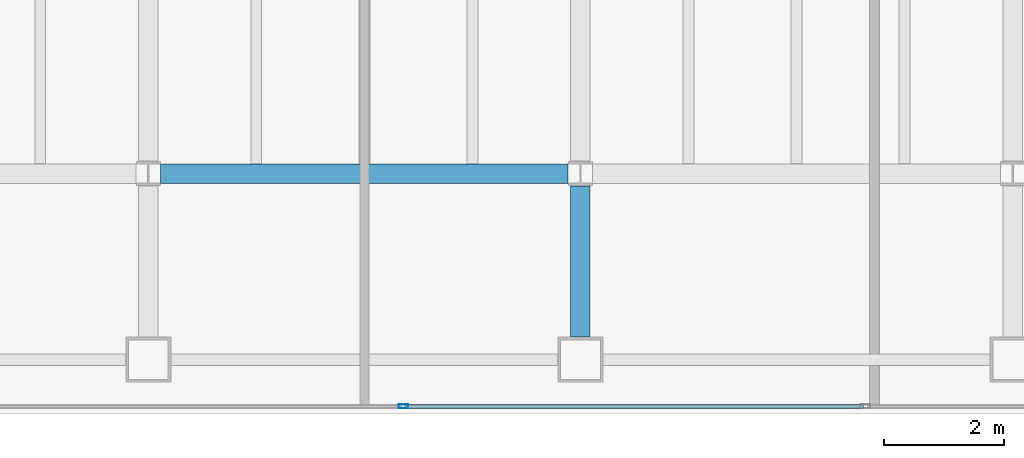
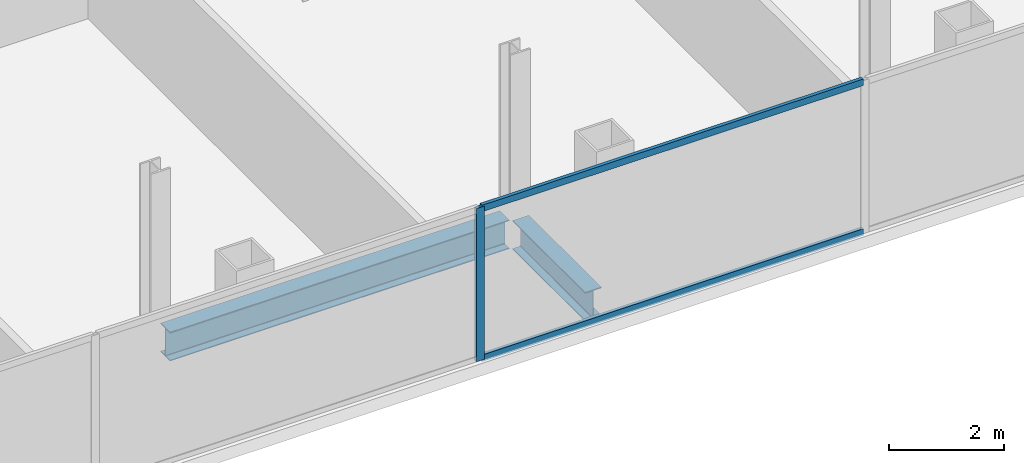
# One storey, part 6 of 23: 3 members, 2 beams, 1 element without a shape of its own.
"""IFC4 building model written with IfcOpenShell, lengths in metres."""

import ifcopenshell
import ifcopenshell.guid

model = None  # the IFC model being written
_history = None  # IfcOwnerHistory: only IFC2X3 demands one
_inside = {}  # id of a spatial element -> (the spatial element, [elements in it])
_under = {}  # id of a project, library or spatial element -> (it, [spatial elements below it])
_declared = {}  # id of a project -> (the project, [libraries it declares])
_typed = {}  # id of a type object -> (the type object, [elements of that type])
_made_of = {}  # id of a material, layer set ... -> (it, [elements and type objects made of it])


def new_model(schema):
    """Start an empty IFC model of exactly this schema.

    Asked for "IFC4X3", IfcOpenShell would pick the latest addendum, in which some entities
    have other attributes; the version numbers below select the first issue.
    IFC2X3 requires an IfcOwnerHistory on every rooted entity: one is made here for all.
    """
    global model, _history
    if schema == "IFC4X3":
        model = ifcopenshell.file(schema_version=(4, 3, 0, 0))
    else:
        model = ifcopenshell.file(schema=schema)
    _inside.clear()
    _under.clear()
    _declared.clear()
    _typed.clear()
    _made_of.clear()
    _history = None
    if model.schema == "IFC2X3":
        org = make("IfcOrganization", Name="unknown")
        user = make(
            "IfcPersonAndOrganization",
            ThePerson=make("IfcPerson", FamilyName="unknown"),
            TheOrganization=org,
        )
        app = make(
            "IfcApplication",
            ApplicationDeveloper=org,
            Version="unknown",
            ApplicationFullName="unknown",
            ApplicationIdentifier="unknown",
        )
        _history = make(
            "IfcOwnerHistory",
            OwningUser=user,
            OwningApplication=app,
            ChangeAction="ADDED",
            CreationDate=0,
        )
    return model


def make(cls, **values):
    """One entity of the class cls with the attributes given. An attribute that is None is left unset."""
    return model.create_entity(
        cls, **{name: value for name, value in values.items() if value is not None}
    )


def rooted(cls, **values):
    """An entity with a GlobalId (a new one), such as an element, a storey or a relation."""
    return make(cls, GlobalId=ifcopenshell.guid.new(), OwnerHistory=_history, **values)


def si_unit(unit_type, name, prefix=None):
    """IfcSIUnit, for example si_unit("LENGTHUNIT", "METRE", prefix="MILLI")."""
    return make("IfcSIUnit", UnitType=unit_type, Prefix=prefix, Name=name)


def assignment(units):
    """IfcUnitAssignment: the units of a project."""
    return None if units is None else make("IfcUnitAssignment", Units=units)


def point(xyz):
    """IfcCartesianPoint."""
    return None if xyz is None else make("IfcCartesianPoint", Coordinates=xyz)


def direction(xyz):
    """IfcDirection."""
    return None if xyz is None else make("IfcDirection", DirectionRatios=xyz)


def frame(location, z_axis=None, x_axis=None):
    """IfcAxis2Placement3D, a coordinate frame: its origin and axes. An axis left out is left unset."""
    return make(
        "IfcAxis2Placement3D",
        Location=point(location),
        Axis=direction(z_axis),
        RefDirection=direction(x_axis),
    )


def frame_2d(location, x_axis=None):
    """IfcAxis2Placement2D, a coordinate frame in the plane: its origin and x axis."""
    return make(
        "IfcAxis2Placement2D", Location=point(location), RefDirection=direction(x_axis)
    )


def origin():
    """The frame at (0, 0, 0) with its axes left unset."""
    return frame((0.0, 0.0, 0.0))


def origin_2d():
    """The frame at (0, 0) in the plane with its x axis left unset."""
    return frame_2d((0.0, 0.0))


def place(relative_to, where):
    """IfcLocalPlacement: puts the frame where relative to a parent placement (None: the world)."""
    return make(
        "IfcLocalPlacement", PlacementRelTo=relative_to, RelativePlacement=where
    )


def context(
    kind, dimensions, precision=None, world=None, true_north=None, identifier=None
):
    """IfcGeometricRepresentationContext, for example the 3D "Model" context."""
    return make(
        "IfcGeometricRepresentationContext",
        ContextIdentifier=identifier,
        ContextType=kind,
        CoordinateSpaceDimension=dimensions,
        Precision=precision,
        WorldCoordinateSystem=world,
        TrueNorth=true_north,
    )


def subcontext(parent, identifier, kind, view, scale=None):
    """IfcGeometricRepresentationSubContext, for example "Body" below "Model"."""
    return make(
        "IfcGeometricRepresentationSubContext",
        ContextIdentifier=identifier,
        ContextType=kind,
        ParentContext=parent,
        TargetScale=scale,
        TargetView=view,
    )


def project(units=None, contexts=None):
    """IfcProject with its units and contexts."""
    return rooted(
        "IfcProject",
        Name="project",
        RepresentationContexts=contexts,
        UnitsInContext=assignment(units),
    )


def spatial(cls, under=None, at=None, **own):
    """A site, building, storey or space (cls), placed at a placement, below another one or the project."""
    s = rooted(cls, ObjectPlacement=at, **own)
    if under is not None:
        _under.setdefault(under.id(), (under, []))[1].append(s)
    return s


def profile(cls, at=None, kind="AREA", **sizes):
    """A parametric profile (cls). Its sizes go by their IFC names, for example OverallWidth=200.0."""
    return make(cls, ProfileType=kind, Position=at, **sizes)


def hollow_rectangle(**sizes):
    """IfcRectangleHollowProfileDef."""
    return profile("IfcRectangleHollowProfileDef", **sizes)


def i_section(**sizes):
    """IfcIShapeProfileDef."""
    return profile("IfcIShapeProfileDef", **sizes)


def extrude(swept, where, along, depth):
    """IfcExtrudedAreaSolid: the profile swept, set in the frame where, extruded along a direction by depth."""
    return make(
        "IfcExtrudedAreaSolid",
        SweptArea=swept,
        Position=where,
        ExtrudedDirection=direction(along),
        Depth=depth,
    )


def shape(context_of_items, identifier, shape_type, items):
    """IfcShapeRepresentation: the items that make up one representation, for example the "Body"."""
    return make(
        "IfcShapeRepresentation",
        ContextOfItems=context_of_items,
        RepresentationIdentifier=identifier,
        RepresentationType=shape_type,
        Items=items,
    )


def material(Name=None, Category=None):
    """IfcMaterial."""
    return make("IfcMaterial", Name=Name, Category=Category)


def material_profile(
    of_material, cross_section, Name=None, Category=None, Priority=None
):
    """IfcMaterialProfile: a cross section and its material."""
    return make(
        "IfcMaterialProfile",
        Name=Name,
        Material=of_material,
        Profile=cross_section,
        Priority=Priority,
        Category=Category,
    )


def profile_set(profiles, Name=None, composite=None):
    """IfcMaterialProfileSet."""
    return make(
        "IfcMaterialProfileSet",
        Name=Name,
        MaterialProfiles=profiles,
        CompositeProfile=composite,
    )


def made_of(thing, what):
    """Note that an element or type object is made of a material, layer set ...; save() writes the relation."""
    if what is not None:
        _made_of.setdefault(what.id(), (what, []))[1].append(thing)
    return thing


def type_object(cls, material=None, **own):
    """A type object (cls), such as IfcWallType, which elements share."""
    return made_of(rooted(cls, **own), material)


def element(
    cls,
    number,
    at=None,
    inside=None,
    cuts=None,
    type_object=None,
    material=None,
    context=None,
    identifier="Body",
    shape_type=None,
    held_by="IfcProductDefinitionShape",
    body=None,
    shapes=None,
    **own,
):
    """One element of the class cls, such as IfcWall. Its Tag is "e" and its number.

    at: its placement. inside: the storey or other place that contains it. cuts: it is an
    opening in that element (IfcRelVoidsElement). A single representation is given by context,
    identifier, shape_type and body (its items); several are given by shapes. held_by: the class
    of the entity that holds the representations. save() writes the other relations.
    """
    e = rooted(cls, Tag="e%d" % number, ObjectPlacement=at, **own)
    if body is not None:
        shapes = [shape(context, identifier, shape_type, body)]
    if shapes is not None:
        e.Representation = make(held_by, Representations=shapes)
    if inside is not None:
        _inside.setdefault(inside.id(), (inside, []))[1].append(e)
    if cuts is not None:
        rooted(
            "IfcRelVoidsElement", RelatingBuildingElement=cuts, RelatedOpeningElement=e
        )
    if type_object is not None:
        _typed.setdefault(type_object.id(), (type_object, []))[1].append(e)
    return made_of(e, material)


def aggregate(whole, parts):
    """IfcRelAggregates: a whole, such as a stair, and the parts it consists of."""
    return rooted("IfcRelAggregates", RelatingObject=whole, RelatedObjects=parts)


def save(model, path):
    """Write the relations noted so far, then the file.

    IfcRelAggregates (storeys below a building ...), IfcRelContainedInSpatialStructure (elements
    in a storey), IfcRelDefinesByType, IfcRelAssociatesMaterial and IfcRelDeclares: one each for
    every whole, place, type object, material and project.
    """
    for whole, parts in _under.values():
        aggregate(whole, parts)
    for where, things in _inside.values():
        rooted(
            "IfcRelContainedInSpatialStructure",
            RelatedElements=things,
            RelatingStructure=where,
        )
    for kind, things in _typed.values():
        rooted("IfcRelDefinesByType", RelatedObjects=things, RelatingType=kind)
    for what, things in _made_of.values():
        rooted("IfcRelAssociatesMaterial", RelatedObjects=things, RelatingMaterial=what)
    for by, libraries in _declared.values():
        rooted("IfcRelDeclares", RelatingContext=by, RelatedDefinitions=libraries)
    model.write(path)


model = new_model("IFC4")

# Units and contexts
model_context = context("Model", 3, precision=1e-05, world=origin(), true_north=direction((0.0, 1.0)))
body_context = subcontext(model_context, "Body", "Model", "MODEL_VIEW")
ifc_project = project(units=[si_unit("LENGTHUNIT", "METRE"), si_unit("AREAUNIT", "SQUARE_METRE"), si_unit("VOLUMEUNIT", "CUBIC_METRE"), si_unit("PLANEANGLEUNIT", "RADIAN"), si_unit("MASSUNIT", "GRAM", prefix="KILO")], contexts=[model_context])

# Site, building, storey
site_placement = place(None, origin())
site = spatial("IfcSite", under=ifc_project, at=site_placement, CompositionType="ELEMENT")
building_placement = place(site_placement, origin())
building = spatial("IfcBuilding", under=site, at=building_placement, Name="Cobrela Telecom Tower", CompositionType="ELEMENT")
storey_placement = place(building_placement, frame((0.0, 0.0, 215.25)))
storey = spatial("IfcBuildingStorey", under=building, at=storey_placement, Name="L55", CompositionType="ELEMENT", Elevation=215.25)

# Beams
ifc_material_1 = material(Name="Steel ASTM A992 Grade 50", Category="steel")
ifc_material_profile_1 = material_profile(ifc_material_1, i_section(OverallWidth=0.324951171875, OverallDepth=0.612060546875, WebThickness=0.0126953125, FlangeThickness=0.01904296875, FilletRadius=0.014892578125, at=origin_2d()), Name="W24X104")
ifc_profile_set_1 = profile_set([ifc_material_profile_1], Name="Steel ASTM A992 Grade 50")
beam_type = type_object("IfcBeamType", Name="BM-GIRD-07", PredefinedType="USERDEFINED", material=ifc_profile_set_1)
beam_1_placement = place(storey_placement, frame((21.804443359375, 7.199951171875, -0.56591796875), z_axis=(1.0, 0.0, 0.0), x_axis=(0.0, 1.0, 0.0)))
element("IfcBeam", 1, at=beam_1_placement, inside=storey, type_object=beam_type, Name="L55 Primary Girder X08", ObjectType="GIRDER", PredefinedType="USERDEFINED", context=body_context, shape_type="SweptSolid", body=[
    extrude(i_section(OverallWidth=0.324951171875, OverallDepth=0.612060546875, WebThickness=0.0126953125, FlangeThickness=0.01904296875, FilletRadius=0.014892578125, at=origin_2d()), origin(), (0.0, 0.0, 1.0), 6.791015625),
])
beam_2_placement = place(storey_placement, frame((28.800048828125, 4.47998046875, -0.56591796875), z_axis=(0.0, 1.0, 0.0), x_axis=(-1.0, 0.0, 0.0)))
element("IfcBeam", 2, at=beam_2_placement, inside=storey, type_object=beam_type, Name="L55 Primary Girder Y36", ObjectType="GIRDER", PredefinedType="USERDEFINED", context=body_context, shape_type="SweptSolid", body=[
    extrude(i_section(OverallWidth=0.324951171875, OverallDepth=0.612060546875, WebThickness=0.0126953125, FlangeThickness=0.01904296875, FilletRadius=0.014892578125, at=origin_2d()), origin(), (0.0, 0.0, 1.0), 2.515625),
])

# Curtain wall, members
ifc_material_2 = material(Name="Anodized Bronze Aluminium 6063-T6", Category="aluminium")
curtain_wall_type = type_object("IfcCurtainWallType", Name="CW-SYS-OFF-LO", PredefinedType="USERDEFINED", material=ifc_material_2)
curtain_wall_placement = place(storey_placement, origin())
curtain_wall = element("IfcCurtainWall", 3, at=curtain_wall_placement, inside=storey, type_object=curtain_wall_type, Name="L55 Unitised Bronze Curtain Wall 17", ObjectType="UNITISED CURTAIN WALL", PredefinedType="USERDEFINED")
ifc_material_profile_2 = material_profile(ifc_material_2, hollow_rectangle(XDim=0.070068359375, YDim=0.159912109375, WallThickness=0.00390625, at=origin_2d()), Name="ALU 70x160x4")
ifc_profile_set_2 = profile_set([ifc_material_profile_2], Name="Anodized Bronze Aluminium 6063-T6")
member_type_1 = type_object("IfcMemberType", Name="CW-SYS-OFF-LO-MUL", PredefinedType="MULLION", material=ifc_profile_set_2)
member_1_placement = place(storey_placement, frame((25.85009765625, 3.320068359375, 0.0), z_axis=(0.0, 0.0, 1.0), x_axis=(0.0, -1.0, 0.0)))
member_1 = element("IfcMember", 4, at=member_1_placement, type_object=member_type_1, Name="CW-OFF-LO mullion 3", PredefinedType="MULLION", context=body_context, shape_type="SweptSolid", body=[
    extrude(hollow_rectangle(XDim=0.070068359375, YDim=0.159912109375, WallThickness=0.00390625, at=origin_2d()), origin(), (0.0, 0.0, 1.0), 3.239990234375),
])
ifc_material_profile_3 = material_profile(ifc_material_2, hollow_rectangle(XDim=0.070068359375, YDim=0.139892578125, WallThickness=0.00390625, at=origin_2d()), Name="ALU 70x140x4")
ifc_profile_set_3 = profile_set([ifc_material_profile_3], Name="Anodized Bronze Aluminium 6063-T6")
member_type_2 = type_object("IfcMemberType", Name="CW-SYS-OFF-LO-TRN", PredefinedType="USERDEFINED", material=ifc_profile_set_3)
member_2_placement = place(storey_placement, frame((33.514892578125, 3.320068359375, 0.034912109375), z_axis=(-1.0, 0.0, 0.0), x_axis=(0.0, -1.0, 0.0)))
member_2 = element("IfcMember", 5, at=member_2_placement, type_object=member_type_2, Name="CW-OFF-LO transom 2.1", ObjectType="TRANSOM", PredefinedType="USERDEFINED", context=body_context, shape_type="SweptSolid", body=[
    extrude(hollow_rectangle(XDim=0.070068359375, YDim=0.139892578125, WallThickness=0.00390625, at=origin_2d()), origin(), (0.0, 0.0, 1.0), 7.6298828125),
])
member_3_placement = place(storey_placement, frame((33.514892578125, 3.320068359375, 3.205078125), z_axis=(-1.0, 0.0, 0.0), x_axis=(0.0, -1.0, 0.0)))
member_3 = element("IfcMember", 6, at=member_3_placement, type_object=member_type_2, Name="CW-OFF-LO transom 2.2", ObjectType="TRANSOM", PredefinedType="USERDEFINED", context=body_context, shape_type="SweptSolid", body=[
    extrude(hollow_rectangle(XDim=0.070068359375, YDim=0.139892578125, WallThickness=0.00390625, at=origin_2d()), origin(), (0.0, 0.0, 1.0), 7.6298828125),
])
aggregate(curtain_wall, [member_1, member_2, member_3])

save(model, "model.ifc")
